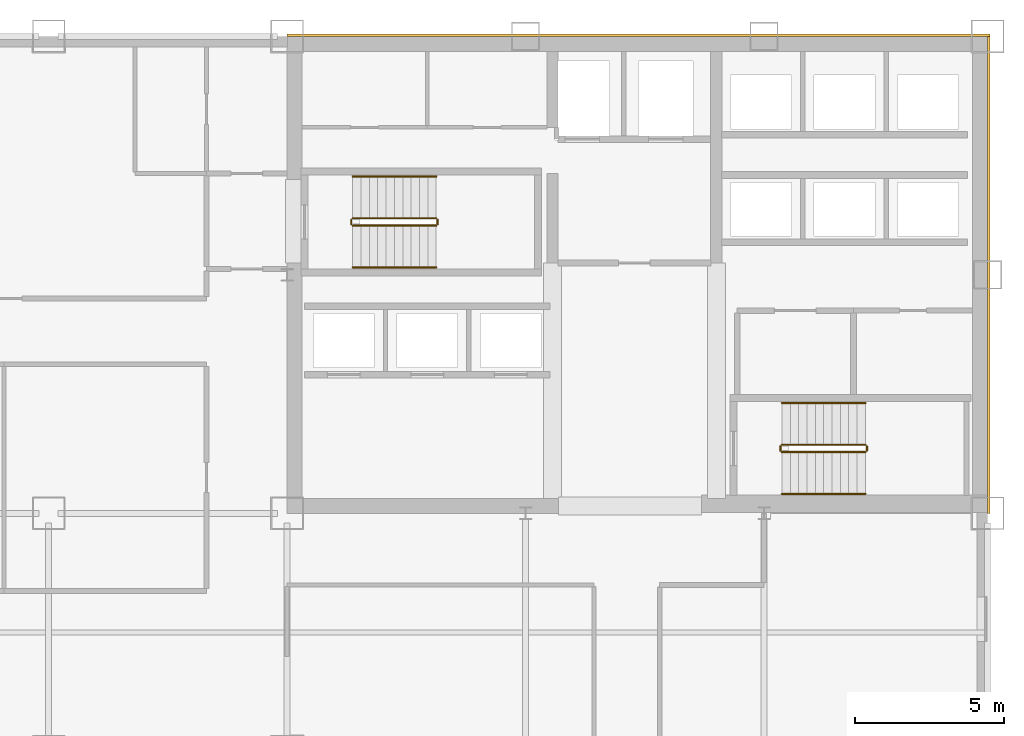
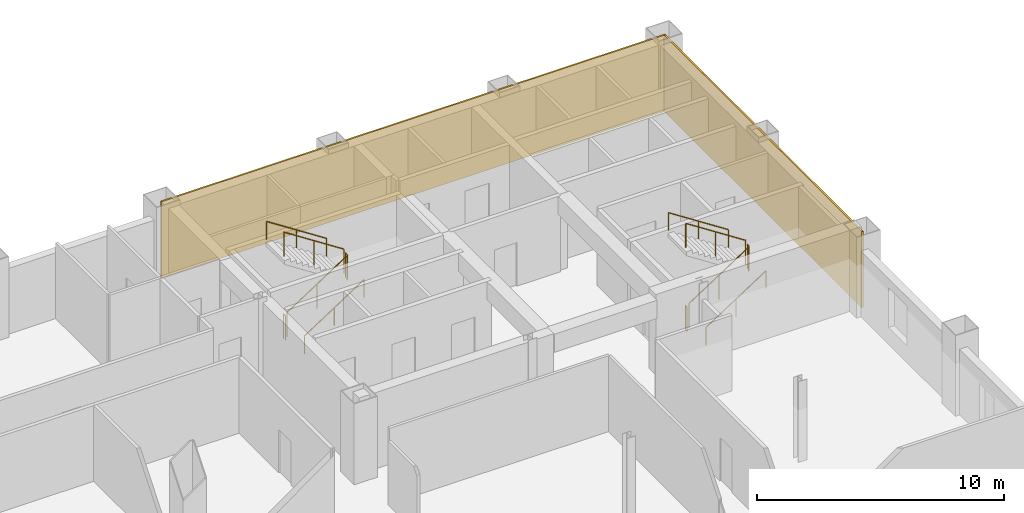
# One storey, part 10 of 10: 12 railings, 2 coverings.
"""IFC4 building model written with IfcOpenShell, lengths in metres."""

from ifc_helpers import new_model, si_unit, direction, frame, origin, origin_2d, place, context, subcontext, project, spatial, rectangle, circle, extrude, material, layer, layer_set, type_object, element, save


model = new_model("IFC4")

# Units and contexts
model_context = context("Model", 3, precision=1e-05, world=origin(), true_north=direction((0.0, 1.0)))
body_context = subcontext(model_context, "Body", "Model", "MODEL_VIEW")
ifc_project = project(units=[si_unit("LENGTHUNIT", "METRE"), si_unit("AREAUNIT", "SQUARE_METRE"), si_unit("VOLUMEUNIT", "CUBIC_METRE"), si_unit("PLANEANGLEUNIT", "RADIAN"), si_unit("MASSUNIT", "GRAM", prefix="KILO")], contexts=[model_context])

# Site, building, storey
site_placement = place(None, origin())
site = spatial("IfcSite", under=ifc_project, at=site_placement, CompositionType="ELEMENT")
building_placement = place(site_placement, origin())
building = spatial("IfcBuilding", under=site, at=building_placement, Name="Qianrong Seaharbour Tower", CompositionType="ELEMENT")
storey_placement = place(building_placement, frame((0.0, 0.0, 151.0)))
storey = spatial("IfcBuildingStorey", under=building, at=storey_placement, Name="L36", CompositionType="ELEMENT", Elevation=151.0)

# Coverings
ifc_material_1 = material(Name="Unitised red brick cladding on Precast concrete C45/55", Category="masonry")
ifc_layer = layer(ifc_material_1, 0.080078125)
ifc_layer_set = layer_set([ifc_layer], Name="Unitised red brick cladding on Precast concrete C45/55")
covering_type = type_object("IfcCoveringType", Name="COV-CLAD-RED-BRICK-80", PredefinedType="CLADDING", material=ifc_layer_set)
covering_1_placement = place(storey_placement, frame((52.2900390625, 52.0400390625, 0.0), z_axis=(0.0, 0.0, 1.0), x_axis=(1.0, 0.0, 0.0)))
element("IfcCovering", 1, at=covering_1_placement, inside=storey, type_object=covering_type, Name="L36 North Core Brick Veneer Cladding", PredefinedType="CLADDING", context=body_context, shape_type="SweptSolid", body=[
    extrude(rectangle(XDim=23.580078125, YDim=0.080078125, at=origin_2d()), origin(), (0.0, 0.0, 1.0), 3.764892578125),
])
covering_2_placement = place(storey_placement, frame((64.0400390625, 44.0, 0.0), z_axis=(0.0, 0.0, 1.0), x_axis=(1.0, 0.0, 0.0)))
element("IfcCovering", 2, at=covering_2_placement, inside=storey, type_object=covering_type, Name="L36 East Core Brick Veneer Cladding", PredefinedType="CLADDING", context=body_context, shape_type="SweptSolid", body=[
    extrude(rectangle(XDim=0.080078125, YDim=16.0, at=origin_2d()), origin(), (0.0, 0.0, 1.0), 3.764892578125),
])

# Railings
ifc_material_2 = material(Name="Galvanized painted steel SN400B stair guard", Category="steel")
railing_type_1 = type_object("IfcRailingType", Name="RAIL-STAIR-GUARD-1220", PredefinedType="GUARDRAIL", material=ifc_material_2)
railing_1_placement = place(storey_placement, frame((42.699951171875, 45.64990234375, 0.181884765625)))
element("IfcRailing", 3, at=railing_1_placement, inside=storey, type_object=railing_type_1, Name="L36 ST-1 stair guard 1", PredefinedType="GUARDRAIL", context=body_context, shape_type="SweptSolid", body=[
    extrude(circle(Radius=0.02392578125, at=origin_2d()), frame((0.0, 0.0, 1.19580078125), z_axis=(0.838705829183, 0.0, 0.544584733623), x_axis=(0.0, 1.0, 0.0)), (0.0, 0.0, 1.0), 3.338623046875),
    extrude(circle(Radius=0.02099609375, at=origin_2d()), origin(), (0.0, 0.0, 1.0), 1.171875),
    extrude(circle(Radius=0.02099609375, at=origin_2d()), frame((1.39990234375, 0.0, 0.9091796875)), (0.0, 0.0, 1.0), 1.171875),
    extrude(circle(Radius=0.02099609375, at=origin_2d()), frame((2.800048828125, 0.0, 1.818115234375)), (0.0, 0.0, 1.0), 1.171875),
])
railing_2_placement = place(storey_placement, frame((45.550048828125, 45.699951171875, 2.0)))
element("IfcRailing", 4, at=railing_2_placement, inside=storey, type_object=railing_type_1, Name="L36 ST-1 stair guard 2", PredefinedType="GUARDRAIL", context=body_context, shape_type="SweptSolid", body=[
    extrude(circle(Radius=0.02392578125, at=origin_2d()), frame((0.0, 0.0, 1.19580078125), z_axis=(0.0, 1.0, 0.0), x_axis=(-1.0, 0.0, 0.0)), (0.0, 0.0, 1.0), 0.150146484375),
    extrude(circle(Radius=0.02099609375, at=origin_2d()), origin(), (0.0, 0.0, 1.0), 1.171875),
    extrude(circle(Radius=0.02099609375, at=origin_2d()), frame((0.0, 0.150146484375, 0.0)), (0.0, 0.0, 1.0), 1.171875),
])
railing_3_placement = place(storey_placement, frame((45.5, 45.89990234375, 2.181884765625)))
element("IfcRailing", 5, at=railing_3_placement, inside=storey, type_object=railing_type_1, Name="L36 ST-1 stair guard 3", PredefinedType="GUARDRAIL", context=body_context, shape_type="SweptSolid", body=[
    extrude(circle(Radius=0.02392578125, at=origin_2d()), frame((0.0, 0.0, 1.19580078125), z_axis=(-0.838705829183, 0.0, 0.544584733623), x_axis=(0.0, -1.0, 0.0)), (0.0, 0.0, 1.0), 3.338623046875),
    extrude(circle(Radius=0.02099609375, at=origin_2d()), origin(), (0.0, 0.0, 1.0), 1.171875),
    extrude(circle(Radius=0.02099609375, at=origin_2d()), frame((-1.39990234375, 0.0, 0.9091796875)), (0.0, 0.0, 1.0), 1.171875),
    extrude(circle(Radius=0.02099609375, at=origin_2d()), frame((-2.800048828125, 0.0, 1.818115234375)), (0.0, 0.0, 1.0), 1.171875),
])
railing_4_placement = place(storey_placement, frame((42.64990234375, 45.699951171875, 0.0)))
element("IfcRailing", 6, at=railing_4_placement, inside=storey, type_object=railing_type_1, Name="L36 ST-1 stair guard 4", PredefinedType="GUARDRAIL", context=body_context, shape_type="SweptSolid", body=[
    extrude(circle(Radius=0.02392578125, at=origin_2d()), frame((0.0, 0.0, 1.19580078125), z_axis=(0.0, 1.0, 0.0), x_axis=(-1.0, 0.0, 0.0)), (0.0, 0.0, 1.0), 0.150146484375),
    extrude(circle(Radius=0.02099609375, at=origin_2d()), origin(), (0.0, 0.0, 1.0), 1.171875),
    extrude(circle(Radius=0.02099609375, at=origin_2d()), frame((0.0, 0.150146484375, 0.0)), (0.0, 0.0, 1.0), 1.171875),
])
railing_5_placement = place(storey_placement, frame((57.10009765625, 38.050048828125, 0.181884765625)))
element("IfcRailing", 7, at=railing_5_placement, inside=storey, type_object=railing_type_1, Name="L36 ST-2 stair guard 1", PredefinedType="GUARDRAIL", context=body_context, shape_type="SweptSolid", body=[
    extrude(circle(Radius=0.02392578125, at=origin_2d()), frame((0.0, 0.0, 1.19580078125), z_axis=(0.83868413941, 0.0, 0.544618136222), x_axis=(0.0, 1.0, 0.0)), (0.0, 0.0, 1.0), 3.33837890625),
    extrude(circle(Radius=0.02099609375, at=origin_2d()), origin(), (0.0, 0.0, 1.0), 1.171875),
    extrude(circle(Radius=0.02099609375, at=origin_2d()), frame((1.39990234375, 0.0, 0.9091796875)), (0.0, 0.0, 1.0), 1.171875),
    extrude(circle(Radius=0.02099609375, at=origin_2d()), frame((2.7998046875, 0.0, 1.818115234375)), (0.0, 0.0, 1.0), 1.171875),
])
railing_6_placement = place(storey_placement, frame((59.949951171875, 38.10009765625, 2.0)))
element("IfcRailing", 8, at=railing_6_placement, inside=storey, type_object=railing_type_1, Name="L36 ST-2 stair guard 2", PredefinedType="GUARDRAIL", context=body_context, shape_type="SweptSolid", body=[
    extrude(circle(Radius=0.02392578125, at=origin_2d()), frame((0.0, 0.0, 1.19580078125), z_axis=(0.0, 1.0, 0.0), x_axis=(-1.0, 0.0, 0.0)), (0.0, 0.0, 1.0), 0.14990234375),
    extrude(circle(Radius=0.02099609375, at=origin_2d()), origin(), (0.0, 0.0, 1.0), 1.171875),
    extrude(circle(Radius=0.02099609375, at=origin_2d()), frame((0.0, 0.14990234375, 0.0)), (0.0, 0.0, 1.0), 1.171875),
])
railing_7_placement = place(storey_placement, frame((59.89990234375, 38.300048828125, 2.181884765625)))
element("IfcRailing", 9, at=railing_7_placement, inside=storey, type_object=railing_type_1, Name="L36 ST-2 stair guard 3", PredefinedType="GUARDRAIL", context=body_context, shape_type="SweptSolid", body=[
    extrude(circle(Radius=0.02392578125, at=origin_2d()), frame((0.0, 0.0, 1.19580078125), z_axis=(-0.83868413941, 0.0, 0.544618136222), x_axis=(0.0, -1.0, 0.0)), (0.0, 0.0, 1.0), 3.33837890625),
    extrude(circle(Radius=0.02099609375, at=origin_2d()), origin(), (0.0, 0.0, 1.0), 1.171875),
    extrude(circle(Radius=0.02099609375, at=origin_2d()), frame((-1.39990234375, 0.0, 0.9091796875)), (0.0, 0.0, 1.0), 1.171875),
    extrude(circle(Radius=0.02099609375, at=origin_2d()), frame((-2.7998046875, 0.0, 1.818115234375)), (0.0, 0.0, 1.0), 1.171875),
])
railing_8_placement = place(storey_placement, frame((57.050048828125, 38.10009765625, 0.0)))
element("IfcRailing", 10, at=railing_8_placement, inside=storey, type_object=railing_type_1, Name="L36 ST-2 stair guard 4", PredefinedType="GUARDRAIL", context=body_context, shape_type="SweptSolid", body=[
    extrude(circle(Radius=0.02392578125, at=origin_2d()), frame((0.0, 0.0, 1.19580078125), z_axis=(0.0, 1.0, 0.0), x_axis=(-1.0, 0.0, 0.0)), (0.0, 0.0, 1.0), 0.14990234375),
    extrude(circle(Radius=0.02099609375, at=origin_2d()), origin(), (0.0, 0.0, 1.0), 1.171875),
    extrude(circle(Radius=0.02099609375, at=origin_2d()), frame((0.0, 0.14990234375, 0.0)), (0.0, 0.0, 1.0), 1.171875),
])
ifc_material_3 = material(Name="Stainless steel SUS316L continuous handrail", Category="steel")
railing_type_2 = type_object("IfcRailingType", Name="RAIL-STAIR-HANDRAIL-900", PredefinedType="HANDRAIL", material=ifc_material_3)
railing_9_placement = place(storey_placement, frame((42.699951171875, 44.25, 0.181884765625)))
element("IfcRailing", 11, at=railing_9_placement, inside=storey, type_object=railing_type_2, Name="L36 ST-1 stair handrail 1", PredefinedType="HANDRAIL", context=body_context, shape_type="SweptSolid", body=[
    extrude(circle(Radius=0.02392578125, at=origin_2d()), frame((0.0, 0.0, 0.8759765625), z_axis=(0.838705829183, 0.0, 0.544584733623), x_axis=(0.0, 1.0, 0.0)), (0.0, 0.0, 1.0), 3.338623046875),
    extrude(circle(Radius=0.02099609375, at=origin_2d()), origin(), (0.0, 0.0, 1.0), 0.851806640625),
    extrude(circle(Radius=0.02099609375, at=origin_2d()), frame((1.39990234375, 0.0, 0.9091796875)), (0.0, 0.0, 1.0), 0.851806640625),
    extrude(circle(Radius=0.02099609375, at=origin_2d()), frame((2.800048828125, 0.0, 1.818115234375)), (0.0, 0.0, 1.0), 0.851806640625),
])
railing_10_placement = place(storey_placement, frame((45.5, 47.300048828125, 2.181884765625)))
element("IfcRailing", 12, at=railing_10_placement, inside=storey, type_object=railing_type_2, Name="L36 ST-1 stair handrail 2", PredefinedType="HANDRAIL", context=body_context, shape_type="SweptSolid", body=[
    extrude(circle(Radius=0.02392578125, at=origin_2d()), frame((0.0, 0.0, 0.8759765625), z_axis=(-0.838705829183, 0.0, 0.544584733623), x_axis=(0.0, -1.0, 0.0)), (0.0, 0.0, 1.0), 3.338623046875),
    extrude(circle(Radius=0.02099609375, at=origin_2d()), origin(), (0.0, 0.0, 1.0), 0.851806640625),
    extrude(circle(Radius=0.02099609375, at=origin_2d()), frame((-1.39990234375, 0.0, 0.9091796875)), (0.0, 0.0, 1.0), 0.851806640625),
    extrude(circle(Radius=0.02099609375, at=origin_2d()), frame((-2.800048828125, 0.0, 1.818115234375)), (0.0, 0.0, 1.0), 0.851806640625),
])
railing_11_placement = place(storey_placement, frame((57.10009765625, 36.64990234375, 0.181884765625)))
element("IfcRailing", 13, at=railing_11_placement, inside=storey, type_object=railing_type_2, Name="L36 ST-2 stair handrail 1", PredefinedType="HANDRAIL", context=body_context, shape_type="SweptSolid", body=[
    extrude(circle(Radius=0.02392578125, at=origin_2d()), frame((0.0, 0.0, 0.8759765625), z_axis=(0.83868413941, 0.0, 0.544618136222), x_axis=(0.0, 1.0, 0.0)), (0.0, 0.0, 1.0), 3.33837890625),
    extrude(circle(Radius=0.02099609375, at=origin_2d()), origin(), (0.0, 0.0, 1.0), 0.851806640625),
    extrude(circle(Radius=0.02099609375, at=origin_2d()), frame((1.39990234375, 0.0, 0.9091796875)), (0.0, 0.0, 1.0), 0.851806640625),
    extrude(circle(Radius=0.02099609375, at=origin_2d()), frame((2.7998046875, 0.0, 1.818115234375)), (0.0, 0.0, 1.0), 0.851806640625),
])
railing_12_placement = place(storey_placement, frame((59.89990234375, 39.699951171875, 2.181884765625)))
element("IfcRailing", 14, at=railing_12_placement, inside=storey, type_object=railing_type_2, Name="L36 ST-2 stair handrail 2", PredefinedType="HANDRAIL", context=body_context, shape_type="SweptSolid", body=[
    extrude(circle(Radius=0.02392578125, at=origin_2d()), frame((0.0, 0.0, 0.8759765625), z_axis=(-0.83868413941, 0.0, 0.544618136222), x_axis=(0.0, -1.0, 0.0)), (0.0, 0.0, 1.0), 3.33837890625),
    extrude(circle(Radius=0.02099609375, at=origin_2d()), origin(), (0.0, 0.0, 1.0), 0.851806640625),
    extrude(circle(Radius=0.02099609375, at=origin_2d()), frame((-1.39990234375, 0.0, 0.9091796875)), (0.0, 0.0, 1.0), 0.851806640625),
    extrude(circle(Radius=0.02099609375, at=origin_2d()), frame((-2.7998046875, 0.0, 1.818115234375)), (0.0, 0.0, 1.0), 0.851806640625),
])

save(model, "model.ifc")
